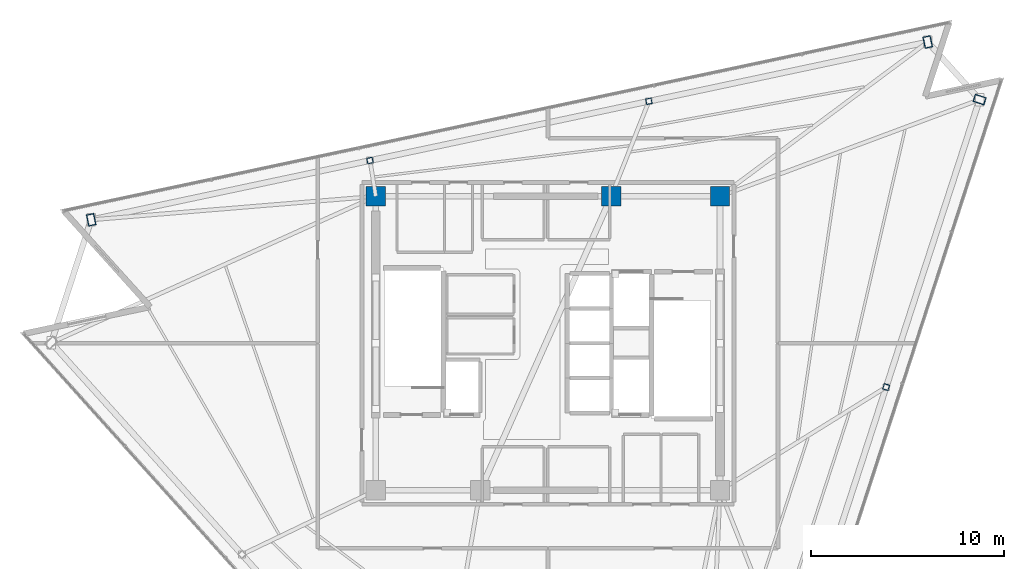
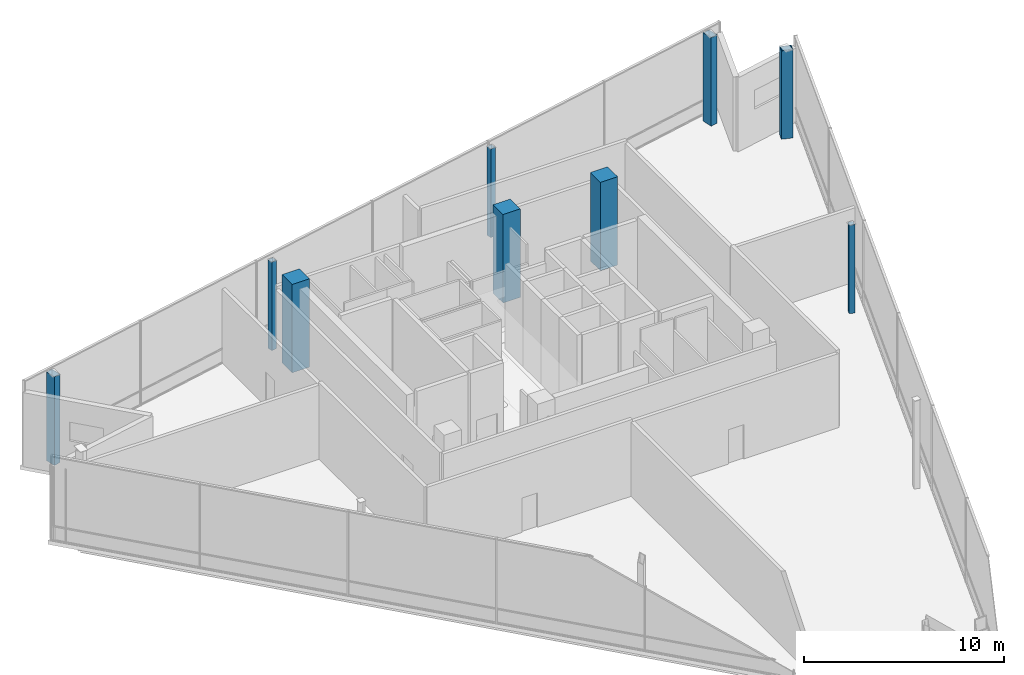
# One storey, part 2 of 14: 9 columns.
"""IFC4 building model written with IfcOpenShell, lengths in metres."""

from ifc_helpers import new_model, si_unit, direction, frame, origin, origin_2d, place, context, subcontext, project, spatial, rectangle, hollow_rectangle, extrude, material, material_profile, profile_set, type_object, element, save


model = new_model("IFC4")

# Units and contexts
model_context = context("Model", 3, precision=1e-05, world=origin(), true_north=direction((0.0, 1.0)))
body_context = subcontext(model_context, "Body", "Model", "MODEL_VIEW")
ifc_project = project(units=[si_unit("LENGTHUNIT", "METRE"), si_unit("AREAUNIT", "SQUARE_METRE"), si_unit("VOLUMEUNIT", "CUBIC_METRE"), si_unit("PLANEANGLEUNIT", "RADIAN"), si_unit("MASSUNIT", "GRAM", prefix="KILO")], contexts=[model_context])

# Site, building, storey
site_placement = place(None, origin())
site = spatial("IfcSite", under=ifc_project, at=site_placement, CompositionType="ELEMENT")
building_placement = place(site_placement, origin())
building = spatial("IfcBuilding", under=site, at=building_placement, Name="Tharavind Bronze Gate", CompositionType="ELEMENT")
storey_placement = place(building_placement, frame((0.0, 0.0, 310.85009765625)))
storey = spatial("IfcBuildingStorey", under=building, at=storey_placement, Name="L80", CompositionType="ELEMENT", Elevation=310.85009765625)

# Columns
ifc_material_1 = material(Name="Steel S460", Category="steel")
ifc_material_profile_1 = material_profile(ifc_material_1, hollow_rectangle(XDim=0.39990234375, YDim=0.60009765625, WallThickness=0.030029296875, at=origin_2d()), Name="RHS600X400X30")
ifc_profile_set_1 = profile_set([ifc_material_profile_1], Name="Steel S460")
column_type_1 = type_object("IfcColumnType", Name="CORNER NOTCH COLUMN RHS600X400", PredefinedType="COLUMN", material=ifc_profile_set_1)
for number, where, z_axis, x_axis, name in (
    (1, (22.319091796875, 12.599609375, 0.0), (0.0, 0.0, 1.0), (0.309018654281, 0.951055976957, 0.0), "L80 perimeter column S2C4"),
    (2, (19.63720703125, 15.578125, 0.0), (0.0, 0.0, 1.0), (0.978147237858, 0.207913398007, 0.0), "L80 perimeter column S3C1"),
    (3, (-23.614501953125, 6.384765625, 0.0), (0.0, 0.0, 1.0), (0.978147237858, 0.207913398007, 0.0), "L80 perimeter column S3C4"),
):
    element("IfcColumn", number, at=place(storey_placement, frame(where, z_axis=z_axis, x_axis=x_axis)), inside=storey, type_object=column_type_1, Name=name, PredefinedType="COLUMN", context=body_context, shape_type="SweptSolid", body=[
        extrude(hollow_rectangle(XDim=0.39990234375, YDim=0.60009765625, WallThickness=0.030029296875, at=origin_2d()), origin(), (0.0, 0.0, 1.0), 5.39990234375),
    ])
ifc_material_2 = material(Name="Concrete C50/60", Category="concrete")
ifc_material_profile_2 = material_profile(ifc_material_2, rectangle(XDim=1.0, YDim=1.0, at=origin_2d()), Name="RCCOL1000")
ifc_profile_set_2 = profile_set([ifc_material_profile_2], Name="Concrete C50/60")
column_type_2 = type_object("IfcColumnType", Name="MEGA CORE COLUMN 1000", PredefinedType="COLUMN", material=ifc_profile_set_2)
for number, where, z_axis, x_axis, name in (
    (4, (8.89990234375, 7.60009765625, 0.0), (0.0, 0.0, 1.0), (1.0, 0.0, 0.0), "L80 core mega column MC4"),
    (5, (3.280029296875, 7.60009765625, 0.0), (0.0, 0.0, 1.0), (1.0, 0.0, 0.0), "L80 core mega column MC5"),
    (6, (-8.89990234375, 7.60009765625, 0.0), (0.0, 0.0, 1.0), (1.0, 0.0, 0.0), "L80 core mega column MC6"),
):
    element("IfcColumn", number, at=place(storey_placement, frame(where, z_axis=z_axis, x_axis=x_axis)), inside=storey, type_object=column_type_2, Name=name, PredefinedType="COLUMN", context=body_context, shape_type="SweptSolid", body=[
        extrude(rectangle(XDim=1.0, YDim=1.0, at=origin_2d()), origin(), (0.0, 0.0, 1.0), 5.39990234375),
    ])
ifc_material_profile_3 = material_profile(ifc_material_1, hollow_rectangle(XDim=0.300048828125, YDim=0.300048828125, WallThickness=0.02001953125, at=origin_2d()), Name="SHS300X20")
ifc_profile_set_3 = profile_set([ifc_material_profile_3], Name="Steel S460")
column_type_3 = type_object("IfcColumnType", Name="PERIMETER BOX COLUMN SHS300", PredefinedType="COLUMN", material=ifc_profile_set_3)
for number, where, z_axis, x_axis, name in (
    (7, (17.4892578125, -2.265380859375, 0.0), (0.0, 0.0, 1.0), (0.309018654281, 0.951055976957, 0.0), "L80 perimeter column S2C3"),
    (8, (5.219970703125, 12.513671875, 0.0), (0.0, 0.0, 1.0), (0.978147237858, 0.207913398007, 0.0), "L80 perimeter column S3C2"),
    (9, (-9.197265625, 9.44921875, 0.0), (0.0, 0.0, 1.0), (0.978147237858, 0.207913398007, 0.0), "L80 perimeter column S3C3"),
):
    element("IfcColumn", number, at=place(storey_placement, frame(where, z_axis=z_axis, x_axis=x_axis)), inside=storey, type_object=column_type_3, Name=name, PredefinedType="COLUMN", context=body_context, shape_type="SweptSolid", body=[
        extrude(hollow_rectangle(XDim=0.300048828125, YDim=0.300048828125, WallThickness=0.02001953125, at=origin_2d()), origin(), (0.0, 0.0, 1.0), 5.39990234375),
    ])

save(model, "model.ifc")
